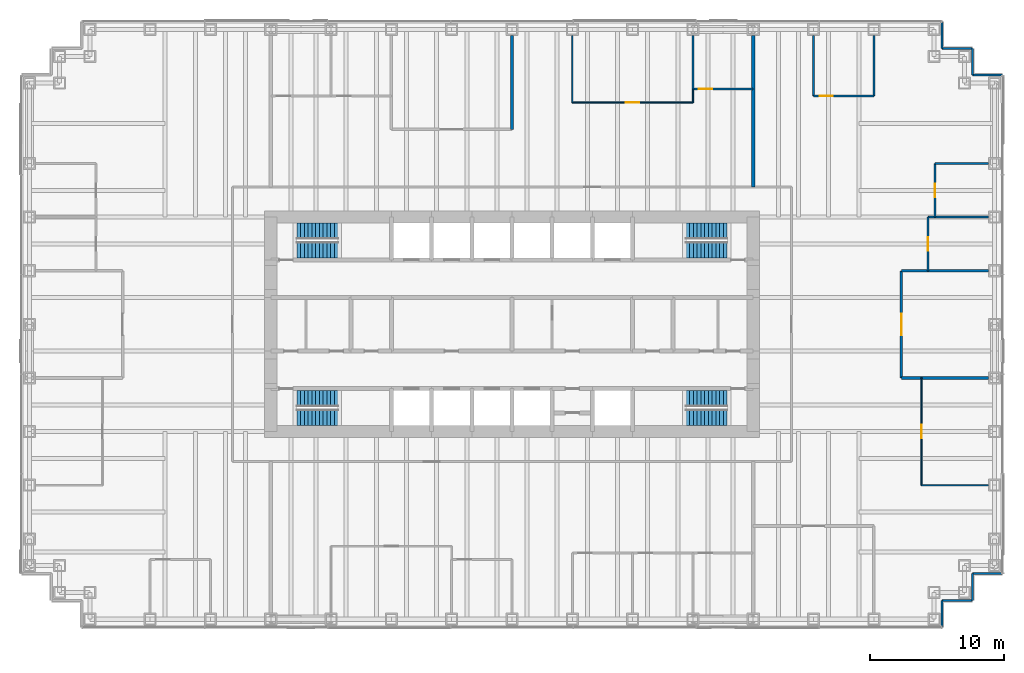
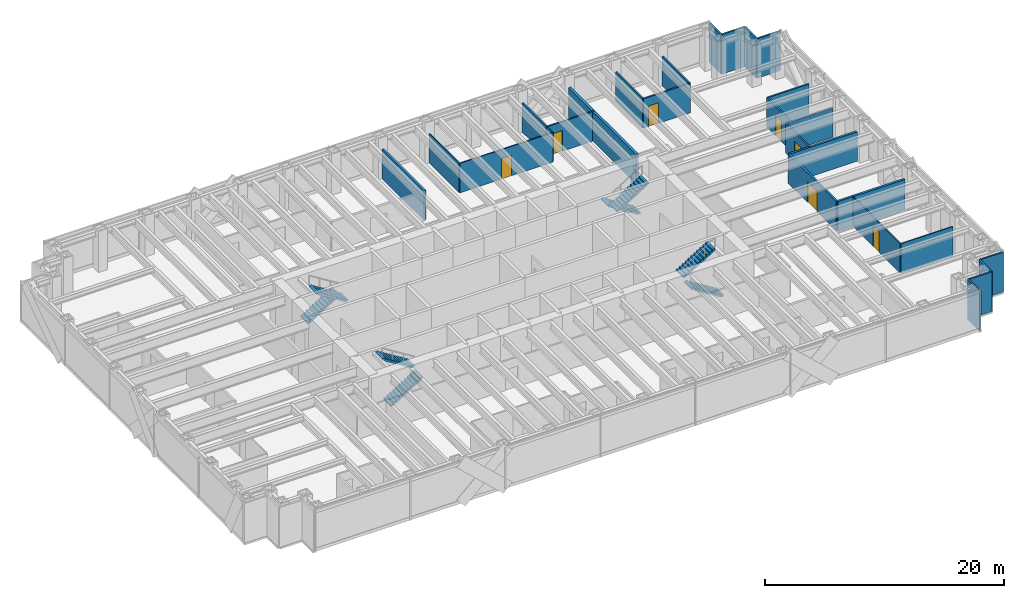
# One storey, part 16 of 17: 27 walls, 8 stair flights, 7 doors, 7 openings, 4 elements without a shape of their own.
"""IFC4 building model written with IfcOpenShell, lengths in metres."""

from ifc_helpers import new_model, si_unit, direction, frame, frame_2d, origin, place, context, subcontext, project, spatial, polyline, rectangle, outline, extrude, material, layer, layer_set, type_object, element, fill, aggregate, save


model = new_model("IFC4")

# Units and contexts
model_context = context("Model", 3, precision=1e-05, world=origin(), true_north=direction((0.0, 1.0)))
body_context = subcontext(model_context, "Body", "Model", "MODEL_VIEW")
ifc_project = project(units=[si_unit("LENGTHUNIT", "METRE"), si_unit("AREAUNIT", "SQUARE_METRE"), si_unit("VOLUMEUNIT", "CUBIC_METRE"), si_unit("PLANEANGLEUNIT", "RADIAN"), si_unit("MASSUNIT", "GRAM", prefix="KILO")], contexts=[model_context])

# Site, building, storey
site_placement = place(None, origin())
site = spatial("IfcSite", under=ifc_project, at=site_placement, CompositionType="ELEMENT")
building_placement = place(site_placement, origin())
building = spatial("IfcBuilding", under=site, at=building_placement, Name="Rheinbord Bourse Tower", CompositionType="ELEMENT")
storey_placement = place(building_placement, frame((0.0, 0.0, 138.300048828125)))
storey = spatial("IfcBuildingStorey", under=building, at=storey_placement, Name="L30", CompositionType="ELEMENT", Elevation=138.300048828125)

# Walls
ifc_material_1 = material(Name="Acoustic gypsum board partition", Category="gypsum board")
ifc_layer_1 = layer(ifc_material_1, 0.199951171875)
ifc_layer_set_1 = layer_set([ifc_layer_1], Name="ACOUSTIC PARTITION 200")
wall_type_1 = type_object("IfcWallType", Name="ACOUSTIC PARTITION 200", PredefinedType="PARTITIONING", material=ifc_layer_set_1)
for number, where, z_axis, x_axis, name in (
    (1, (65.050048828125, 20.0, 0.0), (0.0, 0.0, 1.0), (1.0, 0.0, 0.0), "Partition L30-10"),
    (2, (65.050048828125, 28.0, 0.0), (0.0, 0.0, 1.0), (1.0, 0.0, 0.0), "Partition L30-12"),
):
    element("IfcWall", number, at=place(storey_placement, frame(where, z_axis=z_axis, x_axis=x_axis)), inside=storey, type_object=wall_type_1, Name=name, PredefinedType="PARTITIONING", context=body_context, shape_type="SweptSolid", body=[
        extrude(rectangle(XDim=6.5, YDim=0.199951171875, at=frame_2d((3.25, 0.0))), origin(), (0.0, 0.0, 1.0), 3.0),
    ])
wall_1_placement = place(storey_placement, frame((36.0, 38.550048828125, 0.0), z_axis=(0.0, 0.0, 1.0), x_axis=(0.0, 1.0, 0.0)))
element("IfcWall", 3, at=wall_1_placement, inside=storey, type_object=wall_type_1, Name="Partition L30-37", PredefinedType="PARTITIONING", context=body_context, shape_type="SweptSolid", body=[
    extrude(rectangle(XDim=7.0, YDim=0.199951171875, at=frame_2d((3.5, 0.0))), origin(), (0.0, 0.0, 1.0), 3.0),
])

# Wall, opening, door
wall_2_placement = place(storey_placement, frame((65.050048828125, 20.0, 0.0), z_axis=(0.0, 0.0, 1.0), x_axis=(0.0, 1.0, 0.0)))
wall_2 = element("IfcWall", 4, at=wall_2_placement, inside=storey, type_object=wall_type_1, Name="Partition L30-50", PredefinedType="PARTITIONING", context=body_context, shape_type="SweptSolid", body=[
    extrude(rectangle(XDim=8.0, YDim=0.199951171875, at=frame_2d((4.0, 0.0))), origin(), (0.0, 0.0, 1.0), 3.0),
])
opening_1_placement = place(wall_2_placement, frame((3.199951171875, 0.0, 0.0)))
opening_1 = element("IfcOpeningElement", 5, at=opening_1_placement, cuts=wall_2, Name="Opening 30D11", PredefinedType="OPENING", context=body_context, shape_type="SweptSolid", body=[
    extrude(rectangle(XDim=1.60009765625, YDim=2.10009765625, at=frame_2d((0.800048828125, 1.050048828125))), frame((0.0, 0.10986328125, 0.0), z_axis=(0.0, -1.0, 0.0), x_axis=(1.0, 0.0, 0.0)), (0.0, 0.0, 1.0), 0.219970703125),
])
ifc_material_2 = material(Name="Timber door", Category="wood")
door_type_1 = type_object("IfcDoorType", Name="DOUBLE ROOM DOOR 1600", OperationType="DOUBLE_DOOR_DOUBLE_SWING", PredefinedType="DOOR", material=ifc_material_2)
door_1_placement = place(opening_1_placement, origin())
door_1 = element("IfcDoor", 6, at=door_1_placement, inside=storey, type_object=door_type_1, Name="Suite boardroom door L30", OperationType="SINGLE_SWING_LEFT", OverallHeight=2.10009765625, OverallWidth=1.60009765625, PredefinedType="DOOR", context=body_context, shape_type="SweptSolid", body=[
    extrude(rectangle(XDim=1.60009765625, YDim=2.10009765625, at=frame_2d((0.800048828125, 1.050048828125))), frame((0.0, 0.02490234375, 0.0), z_axis=(0.0, -1.0, 0.0), x_axis=(1.0, 0.0, 0.0)), (0.0, 0.0, 1.0), 0.050048828125),
])
fill(opening_1, door_1)

# Walls
ifc_material_3 = material(Name="Black metal rainscreen panel", Category="aluminium")
ifc_layer_2 = layer(ifc_material_3, 0.14990234375)
ifc_layer_set_2 = layer_set([ifc_layer_2], Name="CORNER PIER CLADDING 150")
wall_type_2 = type_object("IfcWallType", Name="CORNER PIER CLADDING 150", PredefinedType="ELEMENTEDWALL", material=ifc_layer_set_2)
wall_3_placement = place(storey_placement, frame((68.10009765625, 1.39990234375, 0.0), z_axis=(0.0, 0.0, 1.0), x_axis=(0.0, 1.0, 0.0)))
element("IfcWall", 7, at=wall_3_placement, inside=storey, type_object=wall_type_2, Name="Corner pier cladding L30 2", PredefinedType="ELEMENTEDWALL", context=body_context, shape_type="SweptSolid", body=[
    extrude(rectangle(XDim=2.0, YDim=0.14990234375, at=frame_2d((1.0, 0.0))), origin(), (0.0, 0.0, 1.0), 4.0400390625),
])
wall_4_placement = place(storey_placement, frame((68.10009765625, 3.39990234375, 0.0), z_axis=(0.0, 0.0, 1.0), x_axis=(1.0, 0.0, 0.0)))
element("IfcWall", 8, at=wall_4_placement, inside=storey, type_object=wall_type_2, Name="Corner pier cladding L30 3", PredefinedType="ELEMENTEDWALL", context=body_context, shape_type="SweptSolid", body=[
    extrude(rectangle(XDim=2.25, YDim=0.14990234375, at=frame_2d((1.125, 0.0))), origin(), (0.0, 0.0, 1.0), 4.0400390625),
])
wall_5_placement = place(storey_placement, frame((70.35009765625, 3.39990234375, 0.0), z_axis=(0.0, 0.0, 1.0), x_axis=(0.0, 1.0, 0.0)))
element("IfcWall", 9, at=wall_5_placement, inside=storey, type_object=wall_type_2, Name="Corner pier cladding L30 4", PredefinedType="ELEMENTEDWALL", context=body_context, shape_type="SweptSolid", body=[
    extrude(rectangle(XDim=2.0, YDim=0.14990234375, at=frame_2d((1.0, 0.0))), origin(), (0.0, 0.0, 1.0), 4.0400390625),
])
for number, where, z_axis, x_axis, name in (
    (10, (70.35009765625, 5.39990234375, 0.0), (0.0, 0.0, 1.0), (1.0, 0.0, 0.0), "Corner pier cladding L30 5"),
    (11, (72.60009765625, 42.60009765625, 0.0), (0.0, 0.0, 1.0), (-1.0, 0.0, 0.0), "Corner pier cladding L30 7"),
):
    element("IfcWall", number, at=place(storey_placement, frame(where, z_axis=z_axis, x_axis=x_axis)), inside=storey, type_object=wall_type_2, Name=name, PredefinedType="ELEMENTEDWALL", context=body_context, shape_type="SweptSolid", body=[
        extrude(rectangle(XDim=2.25, YDim=0.14990234375, at=frame_2d((1.125, 0.0))), origin(), (0.0, 0.0, 1.0), 4.0400390625),
    ])
wall_6_placement = place(storey_placement, frame((70.35009765625, 42.60009765625, 0.0), z_axis=(0.0, 0.0, 1.0), x_axis=(0.0, 1.0, 0.0)))
element("IfcWall", 12, at=wall_6_placement, inside=storey, type_object=wall_type_2, Name="Corner pier cladding L30 8", PredefinedType="ELEMENTEDWALL", context=body_context, shape_type="SweptSolid", body=[
    extrude(rectangle(XDim=2.0, YDim=0.14990234375, at=frame_2d((1.0, 0.0))), origin(), (0.0, 0.0, 1.0), 4.0400390625),
])
wall_7_placement = place(storey_placement, frame((70.35009765625, 44.60009765625, 0.0), z_axis=(0.0, 0.0, 1.0), x_axis=(-1.0, 0.0, 0.0)))
element("IfcWall", 13, at=wall_7_placement, inside=storey, type_object=wall_type_2, Name="Corner pier cladding L30 9", PredefinedType="ELEMENTEDWALL", context=body_context, shape_type="SweptSolid", body=[
    extrude(rectangle(XDim=2.25, YDim=0.14990234375, at=frame_2d((1.125, 0.0))), origin(), (0.0, 0.0, 1.0), 4.0400390625),
])
wall_8_placement = place(storey_placement, frame((68.10009765625, 44.60009765625, 0.0), z_axis=(0.0, 0.0, 1.0), x_axis=(0.0, 1.0, 0.0)))
element("IfcWall", 14, at=wall_8_placement, inside=storey, type_object=wall_type_2, Name="Corner pier cladding L30 10", PredefinedType="ELEMENTEDWALL", context=body_context, shape_type="SweptSolid", body=[
    extrude(rectangle(XDim=2.0, YDim=0.14990234375, at=frame_2d((1.0, 0.0))), origin(), (0.0, 0.0, 1.0), 4.0400390625),
])
ifc_material_4 = material(Name="Gypsum board tenancy wall", Category="gypsum board")
ifc_layer_3 = layer(ifc_material_4, 0.25)
ifc_layer_set_3 = layer_set([ifc_layer_3], Name="DEMISING PARTITION 250 EI60")
wall_type_3 = type_object("IfcWallType", Name="DEMISING PARTITION 250 EI60", PredefinedType="PARTITIONING", material=ifc_layer_set_3)
wall_9_placement = place(storey_placement, frame((54.0, 34.25, 0.0), z_axis=(0.0, 0.0, 1.0), x_axis=(0.0, 1.0, 0.0)))
element("IfcWall", 15, at=wall_9_placement, inside=storey, type_object=wall_type_3, Name="Partition L30-45", PredefinedType="PARTITIONING", context=body_context, shape_type="SweptSolid", body=[
    extrude(rectangle(XDim=11.300048828125, YDim=0.25, at=frame_2d((5.64990234375, 0.0))), origin(), (0.0, 0.0, 1.0), 3.0),
])
ifc_material_5 = material(Name="Toughened laminated glass partition", Category="glass")
ifc_layer_4 = layer(ifc_material_5, 0.10009765625)
ifc_layer_set_4 = layer_set([ifc_layer_4], Name="GLAZED PARTITION 100")
wall_type_4 = type_object("IfcWallType", Name="GLAZED PARTITION 100", PredefinedType="PARTITIONING", material=ifc_layer_set_4)
wall_10_placement = place(storey_placement, frame((66.550048828125, 12.0, 0.0), z_axis=(0.0, 0.0, 1.0), x_axis=(1.0, 0.0, 0.0)))
element("IfcWall", 16, at=wall_10_placement, inside=storey, type_object=wall_type_4, Name="Partition L30-07", PredefinedType="PARTITIONING", context=body_context, shape_type="SweptSolid", body=[
    extrude(rectangle(XDim=5.0, YDim=0.10009765625, at=frame_2d((2.5, 0.0))), origin(), (0.0, 0.0, 1.0), 3.0),
])

# Wall, opening, door
wall_11_placement = place(storey_placement, frame((40.5, 40.550048828125, 0.0), z_axis=(0.0, 0.0, 1.0), x_axis=(1.0, 0.0, 0.0)))
wall_11 = element("IfcWall", 17, at=wall_11_placement, inside=storey, type_object=wall_type_4, Name="Partition L30-19", PredefinedType="PARTITIONING", context=body_context, shape_type="SweptSolid", body=[
    extrude(rectangle(XDim=9.0, YDim=0.10009765625, at=frame_2d((4.5, 0.0))), origin(), (0.0, 0.0, 1.0), 3.0),
])
opening_2_placement = place(wall_11_placement, frame((4.0, 0.0, 0.0)))
opening_2 = element("IfcOpeningElement", 18, at=opening_2_placement, cuts=wall_11, Name="Opening 30D17", PredefinedType="OPENING", context=body_context, shape_type="SweptSolid", body=[
    extrude(rectangle(XDim=1.0, YDim=2.10009765625, at=frame_2d((0.5, 1.050048828125))), frame((0.0, 0.06005859375, 0.0), z_axis=(0.0, -1.0, 0.0), x_axis=(1.0, 0.0, 0.0)), (0.0, 0.0, 1.0), 0.1201171875),
])
ifc_material_6 = material(Name="Timber door", Category="wood")
door_type_2 = type_object("IfcDoorType", Name="ROOM DOOR 1000", OperationType="SINGLE_SWING_LEFT", PredefinedType="DOOR", material=ifc_material_6)
door_2_placement = place(opening_2_placement, origin())
door_2 = element("IfcDoor", 19, at=door_2_placement, inside=storey, type_object=door_type_2, Name="Meeting room door L30", OperationType="SINGLE_SWING_LEFT", OverallHeight=2.10009765625, OverallWidth=1.0, PredefinedType="DOOR", context=body_context, shape_type="SweptSolid", body=[
    extrude(rectangle(XDim=1.0, YDim=2.10009765625, at=frame_2d((0.5, 1.050048828125))), frame((0.0, 0.02490234375, 0.0), z_axis=(0.0, -1.0, 0.0), x_axis=(1.0, 0.0, 0.0)), (0.0, 0.0, 1.0), 0.050048828125),
])
fill(opening_2, door_2)

# Walls
wall_12_placement = place(storey_placement, frame((40.5, 40.550048828125, 0.0), z_axis=(0.0, 0.0, 1.0), x_axis=(0.0, 1.0, 0.0)))
element("IfcWall", 20, at=wall_12_placement, inside=storey, type_object=wall_type_4, Name="Partition L30-39", PredefinedType="PARTITIONING", context=body_context, shape_type="SweptSolid", body=[
    extrude(rectangle(XDim=5.0, YDim=0.10009765625, at=frame_2d((2.5, 0.0))), origin(), (0.0, 0.0, 1.0), 3.0),
])
wall_13_placement = place(storey_placement, frame((49.5, 40.550048828125, 0.0), z_axis=(0.0, 0.0, 1.0), x_axis=(0.0, 1.0, 0.0)))
element("IfcWall", 21, at=wall_13_placement, inside=storey, type_object=wall_type_4, Name="Partition L30-42", PredefinedType="PARTITIONING", context=body_context, shape_type="SweptSolid", body=[
    extrude(rectangle(XDim=1.0, YDim=0.10009765625, at=frame_2d((0.5, 0.0))), origin(), (0.0, 0.0, 1.0), 3.0),
])

# Wall, opening, door
wall_14_placement = place(storey_placement, frame((66.550048828125, 12.0, 0.0), z_axis=(0.0, 0.0, 1.0), x_axis=(0.0, 1.0, 0.0)))
wall_14 = element("IfcWall", 22, at=wall_14_placement, inside=storey, type_object=wall_type_4, Name="Partition L30-51", PredefinedType="PARTITIONING", context=body_context, shape_type="SweptSolid", body=[
    extrude(rectangle(XDim=8.0, YDim=0.10009765625, at=frame_2d((4.0, 0.0))), origin(), (0.0, 0.0, 1.0), 3.0),
])
opening_3_placement = place(wall_14_placement, frame((3.5, 0.0, 0.0)))
opening_3 = element("IfcOpeningElement", 23, at=opening_3_placement, cuts=wall_14, Name="Opening 30D08", PredefinedType="OPENING", context=body_context, shape_type="SweptSolid", body=[
    extrude(rectangle(XDim=1.0, YDim=2.10009765625, at=frame_2d((0.5, 1.050048828125))), frame((0.0, 0.06005859375, 0.0), z_axis=(0.0, -1.0, 0.0), x_axis=(1.0, 0.0, 0.0)), (0.0, 0.0, 1.0), 0.1201171875),
])
door_3_placement = place(opening_3_placement, origin())
door_3 = element("IfcDoor", 24, at=door_3_placement, inside=storey, type_object=door_type_2, Name="Meeting room door L30", OperationType="SINGLE_SWING_LEFT", OverallHeight=2.10009765625, OverallWidth=1.0, PredefinedType="DOOR", context=body_context, shape_type="SweptSolid", body=[
    extrude(rectangle(XDim=1.0, YDim=2.10009765625, at=frame_2d((0.5, 1.050048828125))), frame((0.0, 0.02490234375, 0.0), z_axis=(0.0, -1.0, 0.0), x_axis=(1.0, 0.0, 0.0)), (0.0, 0.0, 1.0), 0.050048828125),
])
fill(opening_3, door_3)

# Walls
ifc_material_7 = material(Name="Gypsum board partition", Category="gypsum board")
ifc_layer_5 = layer(ifc_material_7, 0.14990234375)
ifc_layer_set_5 = layer_set([ifc_layer_5], Name="PARTITION 150")
wall_type_5 = type_object("IfcWallType", Name="PARTITION 150", PredefinedType="PARTITIONING", material=ifc_layer_set_5)
wall_15_placement = place(storey_placement, frame((67.050048828125, 32.0, 0.0), z_axis=(0.0, 0.0, 1.0), x_axis=(1.0, 0.0, 0.0)))
element("IfcWall", 25, at=wall_15_placement, inside=storey, type_object=wall_type_5, Name="Partition L30-14", PredefinedType="PARTITIONING", context=body_context, shape_type="SweptSolid", body=[
    extrude(rectangle(XDim=4.5, YDim=0.14990234375, at=frame_2d((2.25, 0.0))), origin(), (0.0, 0.0, 1.0), 3.0),
])
wall_16_placement = place(storey_placement, frame((67.550048828125, 36.0, 0.0), z_axis=(0.0, 0.0, 1.0), x_axis=(1.0, 0.0, 0.0)))
element("IfcWall", 26, at=wall_16_placement, inside=storey, type_object=wall_type_5, Name="Partition L30-17", PredefinedType="PARTITIONING", context=body_context, shape_type="SweptSolid", body=[
    extrude(rectangle(XDim=4.0, YDim=0.14990234375, at=frame_2d((2.0, 0.0))), origin(), (0.0, 0.0, 1.0), 3.0),
])

# Wall, opening, door
wall_17_placement = place(storey_placement, frame((58.5, 41.050048828125, 0.0), z_axis=(0.0, 0.0, 1.0), x_axis=(1.0, 0.0, 0.0)))
wall_17 = element("IfcWall", 27, at=wall_17_placement, inside=storey, type_object=wall_type_5, Name="Partition L30-21", PredefinedType="PARTITIONING", context=body_context, shape_type="SweptSolid", body=[
    extrude(rectangle(XDim=4.5, YDim=0.14990234375, at=frame_2d((2.25, 0.0))), origin(), (0.0, 0.0, 1.0), 3.0),
])
opening_4_placement = place(wall_17_placement, frame((0.449951171875, 0.0, 0.0)))
opening_4 = element("IfcOpeningElement", 28, at=opening_4_placement, cuts=wall_17, Name="Opening 30D20", PredefinedType="OPENING", context=body_context, shape_type="SweptSolid", body=[
    extrude(rectangle(XDim=1.0, YDim=2.10009765625, at=frame_2d((0.5, 1.050048828125))), frame((0.0, 0.0849609375, 0.0), z_axis=(0.0, -1.0, 0.0), x_axis=(1.0, 0.0, 0.0)), (0.0, 0.0, 1.0), 0.169921875),
])
door_4_placement = place(opening_4_placement, origin())
door_4 = element("IfcDoor", 29, at=door_4_placement, inside=storey, type_object=door_type_2, Name="Office door L30", OperationType="SINGLE_SWING_LEFT", OverallHeight=2.10009765625, OverallWidth=1.0, PredefinedType="DOOR", context=body_context, shape_type="SweptSolid", body=[
    extrude(rectangle(XDim=1.0, YDim=2.10009765625, at=frame_2d((0.5, 1.050048828125))), frame((0.0, 0.02490234375, 0.0), z_axis=(0.0, -1.0, 0.0), x_axis=(1.0, 0.0, 0.0)), (0.0, 0.0, 1.0), 0.050048828125),
])
fill(opening_4, door_4)

wall_18_placement = place(storey_placement, frame((49.5, 41.550048828125, 0.0), z_axis=(0.0, 0.0, 1.0), x_axis=(1.0, 0.0, 0.0)))
wall_18 = element("IfcWall", 30, at=wall_18_placement, inside=storey, type_object=wall_type_5, Name="Partition L30-22", PredefinedType="PARTITIONING", context=body_context, shape_type="SweptSolid", body=[
    extrude(rectangle(XDim=4.5, YDim=0.14990234375, at=frame_2d((2.25, 0.0))), origin(), (0.0, 0.0, 1.0), 3.0),
])
opening_5_placement = place(wall_18_placement, frame((0.449951171875, 0.0, 0.0)))
opening_5 = element("IfcOpeningElement", 31, at=opening_5_placement, cuts=wall_18, Name="Opening 30D21", PredefinedType="OPENING", context=body_context, shape_type="SweptSolid", body=[
    extrude(rectangle(XDim=1.0, YDim=2.10009765625, at=frame_2d((0.5, 1.050048828125))), frame((0.0, 0.0849609375, 0.0), z_axis=(0.0, -1.0, 0.0), x_axis=(1.0, 0.0, 0.0)), (0.0, 0.0, 1.0), 0.169921875),
])
door_5_placement = place(opening_5_placement, origin())
door_5 = element("IfcDoor", 32, at=door_5_placement, inside=storey, type_object=door_type_2, Name="Kitchenette door L30", OperationType="SINGLE_SWING_LEFT", OverallHeight=2.10009765625, OverallWidth=1.0, PredefinedType="DOOR", context=body_context, shape_type="SweptSolid", body=[
    extrude(rectangle(XDim=1.0, YDim=2.10009765625, at=frame_2d((0.5, 1.050048828125))), frame((0.0, 0.02490234375, 0.0), z_axis=(0.0, -1.0, 0.0), x_axis=(1.0, 0.0, 0.0)), (0.0, 0.0, 1.0), 0.050048828125),
])
fill(opening_5, door_5)

# Walls
wall_19_placement = place(storey_placement, frame((49.5, 41.550048828125, 0.0), z_axis=(0.0, 0.0, 1.0), x_axis=(0.0, 1.0, 0.0)))
element("IfcWall", 33, at=wall_19_placement, inside=storey, type_object=wall_type_5, Name="Partition L30-43", PredefinedType="PARTITIONING", context=body_context, shape_type="SweptSolid", body=[
    extrude(rectangle(XDim=4.0, YDim=0.14990234375, at=frame_2d((2.0, 0.0))), origin(), (0.0, 0.0, 1.0), 3.0),
])
for number, where, z_axis, x_axis, name in (
    (34, (58.5, 41.050048828125, 0.0), (0.0, 0.0, 1.0), (0.0, 1.0, 0.0), "Partition L30-47"),
    (35, (63.0, 41.050048828125, 0.0), (0.0, 0.0, 1.0), (0.0, 1.0, 0.0), "Partition L30-49"),
):
    element("IfcWall", number, at=place(storey_placement, frame(where, z_axis=z_axis, x_axis=x_axis)), inside=storey, type_object=wall_type_5, Name=name, PredefinedType="PARTITIONING", context=body_context, shape_type="SweptSolid", body=[
        extrude(rectangle(XDim=4.5, YDim=0.14990234375, at=frame_2d((2.25, 0.0))), origin(), (0.0, 0.0, 1.0), 3.0),
    ])

# Wall, opening, door
wall_20_placement = place(storey_placement, frame((67.050048828125, 28.0, 0.0), z_axis=(0.0, 0.0, 1.0), x_axis=(0.0, 1.0, 0.0)))
wall_20 = element("IfcWall", 36, at=wall_20_placement, inside=storey, type_object=wall_type_5, Name="Partition L30-52", PredefinedType="PARTITIONING", context=body_context, shape_type="SweptSolid", body=[
    extrude(rectangle(XDim=4.0, YDim=0.14990234375, at=frame_2d((2.0, 0.0))), origin(), (0.0, 0.0, 1.0), 3.0),
])
opening_6_placement = place(wall_20_placement, frame((1.5, 0.0, 0.0)))
opening_6 = element("IfcOpeningElement", 37, at=opening_6_placement, cuts=wall_20, Name="Opening 30D13", PredefinedType="OPENING", context=body_context, shape_type="SweptSolid", body=[
    extrude(rectangle(XDim=1.0, YDim=2.10009765625, at=frame_2d((0.5, 1.050048828125))), frame((0.0, 0.0849609375, 0.0), z_axis=(0.0, -1.0, 0.0), x_axis=(1.0, 0.0, 0.0)), (0.0, 0.0, 1.0), 0.169921875),
])
door_6_placement = place(opening_6_placement, origin())
door_6 = element("IfcDoor", 38, at=door_6_placement, inside=storey, type_object=door_type_2, Name="Office door L30", OperationType="SINGLE_SWING_LEFT", OverallHeight=2.10009765625, OverallWidth=1.0, PredefinedType="DOOR", context=body_context, shape_type="SweptSolid", body=[
    extrude(rectangle(XDim=1.0, YDim=2.10009765625, at=frame_2d((0.5, 1.050048828125))), frame((0.0, 0.02490234375, 0.0), z_axis=(0.0, -1.0, 0.0), x_axis=(1.0, 0.0, 0.0)), (0.0, 0.0, 1.0), 0.050048828125),
])
fill(opening_6, door_6)

wall_21_placement = place(storey_placement, frame((67.550048828125, 32.0, 0.0), z_axis=(0.0, 0.0, 1.0), x_axis=(0.0, 1.0, 0.0)))
wall_21 = element("IfcWall", 39, at=wall_21_placement, inside=storey, type_object=wall_type_5, Name="Partition L30-53", PredefinedType="PARTITIONING", context=body_context, shape_type="SweptSolid", body=[
    extrude(rectangle(XDim=4.0, YDim=0.14990234375, at=frame_2d((2.0, 0.0))), origin(), (0.0, 0.0, 1.0), 3.0),
])
opening_7_placement = place(wall_21_placement, frame((1.5, 0.0, 0.0)))
opening_7 = element("IfcOpeningElement", 40, at=opening_7_placement, cuts=wall_21, Name="Opening 30D15", PredefinedType="OPENING", context=body_context, shape_type="SweptSolid", body=[
    extrude(rectangle(XDim=1.0, YDim=2.10009765625, at=frame_2d((0.5, 1.050048828125))), frame((0.0, 0.0849609375, 0.0), z_axis=(0.0, -1.0, 0.0), x_axis=(1.0, 0.0, 0.0)), (0.0, 0.0, 1.0), 0.169921875),
])
door_7_placement = place(opening_7_placement, origin())
door_7 = element("IfcDoor", 41, at=door_7_placement, inside=storey, type_object=door_type_2, Name="Kitchenette door L30", OperationType="SINGLE_SWING_LEFT", OverallHeight=2.10009765625, OverallWidth=1.0, PredefinedType="DOOR", context=body_context, shape_type="SweptSolid", body=[
    extrude(rectangle(XDim=1.0, YDim=2.10009765625, at=frame_2d((0.5, 1.050048828125))), frame((0.0, 0.02490234375, 0.0), z_axis=(0.0, -1.0, 0.0), x_axis=(1.0, 0.0, 0.0)), (0.0, 0.0, 1.0), 0.050048828125),
])
fill(opening_7, door_7)

# Stair, stair flights
ifc_material_8 = material(Name="Concrete C30/37", Category="concrete")
stair_type = type_object("IfcStairType", Name="CORE STAIR HALF TURN 4200", PredefinedType="HALF_TURN_STAIR", material=ifc_material_8)
stair_1_placement = place(storey_placement, origin())
stair_1 = element("IfcStair", 42, at=stair_1_placement, inside=storey, type_object=stair_type, Name="Stair ST1 L30, type CS6", PredefinedType="HALF_TURN_STAIR")
ifc_material_9 = material(Name="Concrete C30/37", Category="concrete")
stair_flight_type = type_object("IfcStairFlightType", Name="CORE STAIR FLIGHT 1200, 12 RISERS", PredefinedType="STRAIGHT", material=ifc_material_9)
stair_flight_1_placement = place(storey_placement, frame((19.949951171875, 17.050048828125, 0.0), z_axis=(0.0, 0.0, 1.0), x_axis=(1.0, 0.0, 0.0)))
stair_flight_1 = element("IfcStairFlight", 43, at=stair_flight_1_placement, type_object=stair_flight_type, Name="STAIR L30 ST1 F1", NumberOfRisers=12, NumberOfTreads=11, PredefinedType="STRAIGHT", RiserHeight=0.175, TreadLength=0.28, context=body_context, shape_type="SweptSolid", body=[
    extrude(outline(polyline([(0.0, 0.0), (0.0, 0.175048828125), (0.280029296875, 0.175048828125), (0.280029296875, 0.35009765625), (0.56005859375, 0.35009765625), (0.56005859375, 0.52490234375), (0.840087890625, 0.52490234375), (0.840087890625, 0.699951171875), (1.1201171875, 0.699951171875), (1.1201171875, 0.875), (1.39990234375, 0.875), (1.39990234375, 1.050048828125), (1.679931640625, 1.050048828125), (1.679931640625, 1.22509765625), (1.9599609375, 1.22509765625), (1.9599609375, 1.39990234375), (2.239990234375, 1.39990234375), (2.239990234375, 1.574951171875), (2.52001953125, 1.574951171875), (2.52001953125, 1.75), (2.800048828125, 1.75), (2.800048828125, 1.925048828125), (3.080078125, 1.925048828125), (3.080078125, 2.10009765625), (3.080078125, 1.748291015625), (0.28271484375, 0.0), (0.0, 0.0)])), frame((0.0, 0.60009765625, 0.0), z_axis=(0.0, -1.0, 0.0), x_axis=(1.0, 0.0, 0.0)), (0.0, 0.0, 1.0), 1.199951171875),
])
stair_flight_2_placement = place(storey_placement, frame((23.030029296875, 18.449951171875, 2.099853515625), z_axis=(0.0, 0.0, 1.0), x_axis=(-1.0, 0.0, 0.0)))
stair_flight_2 = element("IfcStairFlight", 44, at=stair_flight_2_placement, type_object=stair_flight_type, Name="STAIR L30 ST1 F2", NumberOfRisers=12, NumberOfTreads=11, PredefinedType="STRAIGHT", RiserHeight=0.175, TreadLength=0.28, context=body_context, shape_type="SweptSolid", body=[
    extrude(outline(polyline([(0.0, 0.0), (0.0, 0.175048828125), (0.280029296875, 0.175048828125), (0.280029296875, 0.35009765625), (0.56005859375, 0.35009765625), (0.56005859375, 0.52490234375), (0.840087890625, 0.52490234375), (0.840087890625, 0.699951171875), (1.1201171875, 0.699951171875), (1.1201171875, 0.875), (1.39990234375, 0.875), (1.39990234375, 1.050048828125), (1.679931640625, 1.050048828125), (1.679931640625, 1.22509765625), (1.9599609375, 1.22509765625), (1.9599609375, 1.39990234375), (2.239990234375, 1.39990234375), (2.239990234375, 1.574951171875), (2.52001953125, 1.574951171875), (2.52001953125, 1.75), (2.800048828125, 1.75), (2.800048828125, 1.925048828125), (3.080078125, 1.925048828125), (3.080078125, 2.10009765625), (3.080078125, 1.748291015625), (0.28271484375, 0.0), (0.0, 0.0)])), frame((0.0, 0.60009765625, 0.0), z_axis=(0.0, -1.0, 0.0), x_axis=(1.0, 0.0, 0.0)), (0.0, 0.0, 1.0), 1.199951171875),
])
aggregate(stair_1, [stair_flight_1, stair_flight_2])

stair_2_placement = place(storey_placement, origin())
stair_2 = element("IfcStair", 45, at=stair_2_placement, inside=storey, type_object=stair_type, Name="Stair ST2 L30, type CS6", PredefinedType="HALF_TURN_STAIR")
stair_flight_3_placement = place(storey_placement, frame((19.949951171875, 30.949951171875, 0.0), z_axis=(0.0, 0.0, 1.0), x_axis=(1.0, 0.0, 0.0)))
stair_flight_3 = element("IfcStairFlight", 46, at=stair_flight_3_placement, type_object=stair_flight_type, Name="STAIR L30 ST2 F1", NumberOfRisers=12, NumberOfTreads=11, PredefinedType="STRAIGHT", RiserHeight=0.175, TreadLength=0.28, context=body_context, shape_type="SweptSolid", body=[
    extrude(outline(polyline([(0.0, 0.0), (0.0, 0.175048828125), (0.280029296875, 0.175048828125), (0.280029296875, 0.35009765625), (0.56005859375, 0.35009765625), (0.56005859375, 0.52490234375), (0.840087890625, 0.52490234375), (0.840087890625, 0.699951171875), (1.1201171875, 0.699951171875), (1.1201171875, 0.875), (1.39990234375, 0.875), (1.39990234375, 1.050048828125), (1.679931640625, 1.050048828125), (1.679931640625, 1.22509765625), (1.9599609375, 1.22509765625), (1.9599609375, 1.39990234375), (2.239990234375, 1.39990234375), (2.239990234375, 1.574951171875), (2.52001953125, 1.574951171875), (2.52001953125, 1.75), (2.800048828125, 1.75), (2.800048828125, 1.925048828125), (3.080078125, 1.925048828125), (3.080078125, 2.10009765625), (3.080078125, 1.748291015625), (0.28271484375, 0.0), (0.0, 0.0)])), frame((0.0, 0.60009765625, 0.0), z_axis=(0.0, -1.0, 0.0), x_axis=(1.0, 0.0, 0.0)), (0.0, 0.0, 1.0), 1.199951171875),
])
stair_flight_4_placement = place(storey_placement, frame((23.030029296875, 29.550048828125, 2.099853515625), z_axis=(0.0, 0.0, 1.0), x_axis=(-1.0, 0.0, 0.0)))
stair_flight_4 = element("IfcStairFlight", 47, at=stair_flight_4_placement, type_object=stair_flight_type, Name="STAIR L30 ST2 F2", NumberOfRisers=12, NumberOfTreads=11, PredefinedType="STRAIGHT", RiserHeight=0.175, TreadLength=0.28, context=body_context, shape_type="SweptSolid", body=[
    extrude(outline(polyline([(0.0, 0.0), (0.0, 0.175048828125), (0.280029296875, 0.175048828125), (0.280029296875, 0.35009765625), (0.56005859375, 0.35009765625), (0.56005859375, 0.52490234375), (0.840087890625, 0.52490234375), (0.840087890625, 0.699951171875), (1.1201171875, 0.699951171875), (1.1201171875, 0.875), (1.39990234375, 0.875), (1.39990234375, 1.050048828125), (1.679931640625, 1.050048828125), (1.679931640625, 1.22509765625), (1.9599609375, 1.22509765625), (1.9599609375, 1.39990234375), (2.239990234375, 1.39990234375), (2.239990234375, 1.574951171875), (2.52001953125, 1.574951171875), (2.52001953125, 1.75), (2.800048828125, 1.75), (2.800048828125, 1.925048828125), (3.080078125, 1.925048828125), (3.080078125, 2.10009765625), (3.080078125, 1.748291015625), (0.28271484375, 0.0), (0.0, 0.0)])), frame((0.0, 0.60009765625, 0.0), z_axis=(0.0, -1.0, 0.0), x_axis=(1.0, 0.0, 0.0)), (0.0, 0.0, 1.0), 1.199951171875),
])
aggregate(stair_2, [stair_flight_3, stair_flight_4])

stair_3_placement = place(storey_placement, origin())
stair_3 = element("IfcStair", 48, at=stair_3_placement, inside=storey, type_object=stair_type, Name="Stair ST3 L30, type CS6", PredefinedType="HALF_TURN_STAIR")
stair_flight_5_placement = place(storey_placement, frame((52.050048828125, 17.050048828125, 0.0), z_axis=(0.0, 0.0, 1.0), x_axis=(-1.0, 0.0, 0.0)))
stair_flight_5 = element("IfcStairFlight", 49, at=stair_flight_5_placement, type_object=stair_flight_type, Name="STAIR L30 ST3 F1", NumberOfRisers=12, NumberOfTreads=11, PredefinedType="STRAIGHT", RiserHeight=0.175, TreadLength=0.28, context=body_context, shape_type="SweptSolid", body=[
    extrude(outline(polyline([(0.0, 0.0), (0.0, 0.175048828125), (0.280029296875, 0.175048828125), (0.280029296875, 0.35009765625), (0.56005859375, 0.35009765625), (0.56005859375, 0.52490234375), (0.840087890625, 0.52490234375), (0.840087890625, 0.699951171875), (1.1201171875, 0.699951171875), (1.1201171875, 0.875), (1.39990234375, 0.875), (1.39990234375, 1.050048828125), (1.679931640625, 1.050048828125), (1.679931640625, 1.22509765625), (1.9599609375, 1.22509765625), (1.9599609375, 1.39990234375), (2.239990234375, 1.39990234375), (2.239990234375, 1.574951171875), (2.52001953125, 1.574951171875), (2.52001953125, 1.75), (2.800048828125, 1.75), (2.800048828125, 1.925048828125), (3.080078125, 1.925048828125), (3.080078125, 2.10009765625), (3.080078125, 1.748291015625), (0.28271484375, 0.0), (0.0, 0.0)])), frame((0.0, 0.60009765625, 0.0), z_axis=(0.0, -1.0, 0.0), x_axis=(1.0, 0.0, 0.0)), (0.0, 0.0, 1.0), 1.199951171875),
])
stair_flight_6_placement = place(storey_placement, frame((48.969970703125, 18.449951171875, 2.099853515625), z_axis=(0.0, 0.0, 1.0), x_axis=(1.0, 0.0, 0.0)))
stair_flight_6 = element("IfcStairFlight", 50, at=stair_flight_6_placement, type_object=stair_flight_type, Name="STAIR L30 ST3 F2", NumberOfRisers=12, NumberOfTreads=11, PredefinedType="STRAIGHT", RiserHeight=0.175, TreadLength=0.28, context=body_context, shape_type="SweptSolid", body=[
    extrude(outline(polyline([(0.0, 0.0), (0.0, 0.175048828125), (0.280029296875, 0.175048828125), (0.280029296875, 0.35009765625), (0.56005859375, 0.35009765625), (0.56005859375, 0.52490234375), (0.840087890625, 0.52490234375), (0.840087890625, 0.699951171875), (1.1201171875, 0.699951171875), (1.1201171875, 0.875), (1.39990234375, 0.875), (1.39990234375, 1.050048828125), (1.679931640625, 1.050048828125), (1.679931640625, 1.22509765625), (1.9599609375, 1.22509765625), (1.9599609375, 1.39990234375), (2.239990234375, 1.39990234375), (2.239990234375, 1.574951171875), (2.52001953125, 1.574951171875), (2.52001953125, 1.75), (2.800048828125, 1.75), (2.800048828125, 1.925048828125), (3.080078125, 1.925048828125), (3.080078125, 2.10009765625), (3.080078125, 1.748291015625), (0.28271484375, 0.0), (0.0, 0.0)])), frame((0.0, 0.60009765625, 0.0), z_axis=(0.0, -1.0, 0.0), x_axis=(1.0, 0.0, 0.0)), (0.0, 0.0, 1.0), 1.199951171875),
])
aggregate(stair_3, [stair_flight_5, stair_flight_6])

stair_4_placement = place(storey_placement, origin())
stair_4 = element("IfcStair", 51, at=stair_4_placement, inside=storey, type_object=stair_type, Name="Stair ST4 L30, type CS6", PredefinedType="HALF_TURN_STAIR")
stair_flight_7_placement = place(storey_placement, frame((52.050048828125, 30.949951171875, 0.0), z_axis=(0.0, 0.0, 1.0), x_axis=(-1.0, 0.0, 0.0)))
stair_flight_7 = element("IfcStairFlight", 52, at=stair_flight_7_placement, type_object=stair_flight_type, Name="STAIR L30 ST4 F1", NumberOfRisers=12, NumberOfTreads=11, PredefinedType="STRAIGHT", RiserHeight=0.175, TreadLength=0.28, context=body_context, shape_type="SweptSolid", body=[
    extrude(outline(polyline([(0.0, 0.0), (0.0, 0.175048828125), (0.280029296875, 0.175048828125), (0.280029296875, 0.35009765625), (0.56005859375, 0.35009765625), (0.56005859375, 0.52490234375), (0.840087890625, 0.52490234375), (0.840087890625, 0.699951171875), (1.1201171875, 0.699951171875), (1.1201171875, 0.875), (1.39990234375, 0.875), (1.39990234375, 1.050048828125), (1.679931640625, 1.050048828125), (1.679931640625, 1.22509765625), (1.9599609375, 1.22509765625), (1.9599609375, 1.39990234375), (2.239990234375, 1.39990234375), (2.239990234375, 1.574951171875), (2.52001953125, 1.574951171875), (2.52001953125, 1.75), (2.800048828125, 1.75), (2.800048828125, 1.925048828125), (3.080078125, 1.925048828125), (3.080078125, 2.10009765625), (3.080078125, 1.748291015625), (0.28271484375, 0.0), (0.0, 0.0)])), frame((0.0, 0.60009765625, 0.0), z_axis=(0.0, -1.0, 0.0), x_axis=(1.0, 0.0, 0.0)), (0.0, 0.0, 1.0), 1.199951171875),
])
stair_flight_8_placement = place(storey_placement, frame((48.969970703125, 29.550048828125, 2.099853515625), z_axis=(0.0, 0.0, 1.0), x_axis=(1.0, 0.0, 0.0)))
stair_flight_8 = element("IfcStairFlight", 53, at=stair_flight_8_placement, type_object=stair_flight_type, Name="STAIR L30 ST4 F2", NumberOfRisers=12, NumberOfTreads=11, PredefinedType="STRAIGHT", RiserHeight=0.175, TreadLength=0.28, context=body_context, shape_type="SweptSolid", body=[
    extrude(outline(polyline([(0.0, 0.0), (0.0, 0.175048828125), (0.280029296875, 0.175048828125), (0.280029296875, 0.35009765625), (0.56005859375, 0.35009765625), (0.56005859375, 0.52490234375), (0.840087890625, 0.52490234375), (0.840087890625, 0.699951171875), (1.1201171875, 0.699951171875), (1.1201171875, 0.875), (1.39990234375, 0.875), (1.39990234375, 1.050048828125), (1.679931640625, 1.050048828125), (1.679931640625, 1.22509765625), (1.9599609375, 1.22509765625), (1.9599609375, 1.39990234375), (2.239990234375, 1.39990234375), (2.239990234375, 1.574951171875), (2.52001953125, 1.574951171875), (2.52001953125, 1.75), (2.800048828125, 1.75), (2.800048828125, 1.925048828125), (3.080078125, 1.925048828125), (3.080078125, 2.10009765625), (3.080078125, 1.748291015625), (0.28271484375, 0.0), (0.0, 0.0)])), frame((0.0, 0.60009765625, 0.0), z_axis=(0.0, -1.0, 0.0), x_axis=(1.0, 0.0, 0.0)), (0.0, 0.0, 1.0), 1.199951171875),
])
aggregate(stair_4, [stair_flight_7, stair_flight_8])

save(model, "model.ifc")
